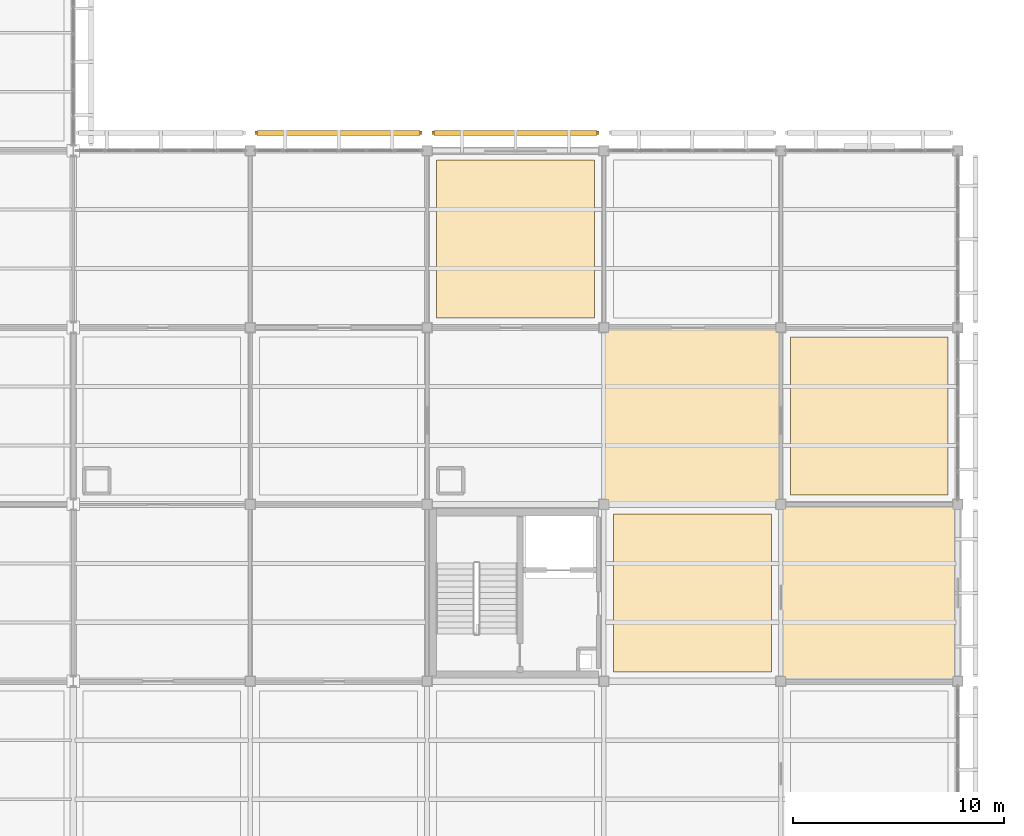
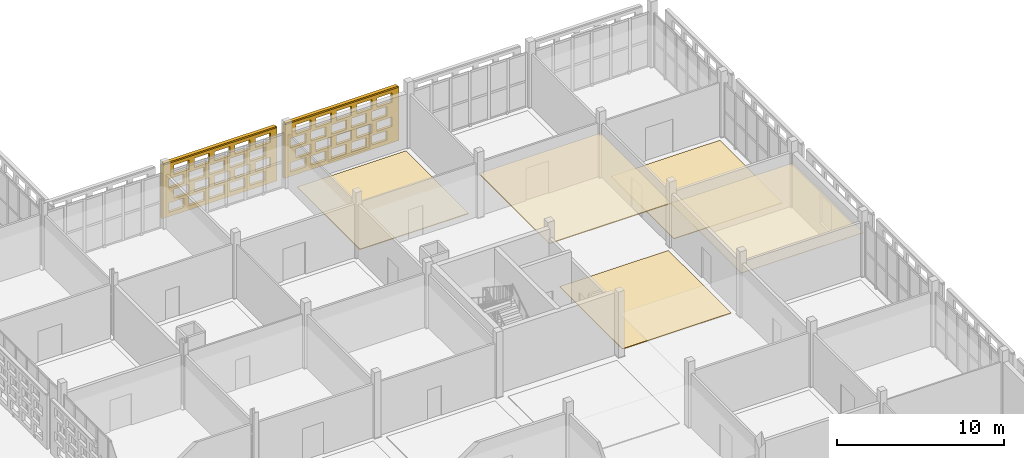
# One storey, part 201 of 203: 7 coverings, 2 shading devices, 40 openings.
"""IFC4 building model written with IfcOpenShell, lengths in metres."""

from ifc_helpers import new_model, si_unit, direction, frame, frame_2d, origin, origin_2d, place, context, subcontext, project, spatial, rectangle, extrude, material, layer, layer_set, type_object, element, save


model = new_model("IFC4")

# Units and contexts
model_context = context("Model", 3, precision=1e-05, world=origin(), true_north=direction((0.0, 1.0)))
body_context = subcontext(model_context, "Body", "Model", "MODEL_VIEW")
ifc_project = project(units=[si_unit("LENGTHUNIT", "METRE"), si_unit("AREAUNIT", "SQUARE_METRE"), si_unit("VOLUMEUNIT", "CUBIC_METRE"), si_unit("PLANEANGLEUNIT", "RADIAN"), si_unit("MASSUNIT", "GRAM", prefix="KILO")], contexts=[model_context])

# Site, building, storey
site_placement = place(None, origin())
site = spatial("IfcSite", under=ifc_project, at=site_placement, CompositionType="ELEMENT")
building_placement = place(site_placement, origin())
building = spatial("IfcBuilding", under=site, at=building_placement, Name="Varnapada Polytechnic", CompositionType="ELEMENT")
storey_placement = place(building_placement, frame((0.0, 0.0, 4.800048828125)))
storey = spatial("IfcBuildingStorey", under=building, at=storey_placement, Name="L01", CompositionType="ELEMENT", Elevation=4.800048828125)

# Coverings
ifc_material_1 = material(Name="End-Grain Timber Studio Block Flooring", Category="wood")
ifc_layer_1 = layer(ifc_material_1, 0.054931640625)
ifc_layer_set_1 = layer_set([ifc_layer_1], Name="End-Grain Timber Studio Block Flooring")
covering_type_1 = type_object("IfcCoveringType", Name="Floor Finish FLR-04", PredefinedType="FLOORING", material=ifc_layer_set_1)
covering_1_placement = place(storey_placement, frame((155.39990234375, 113.39990234375, 0.0), z_axis=(0.0, 0.0, 1.0), x_axis=(1.0, 0.0, 0.0)))
element("IfcCovering", 1, at=covering_1_placement, inside=storey, type_object=covering_type_1, Name="L01 floor finish panel (19,14)", PredefinedType="FLOORING", context=body_context, shape_type="SweptSolid", body=[
    extrude(rectangle(XDim=7.5, YDim=7.5, at=origin_2d()), origin(), (0.0, 0.0, 1.0), 0.054931640625),
])
ifc_material_2 = material(Name="Acoustic Rubber Seminar Flooring")
ifc_layer_2 = layer(ifc_material_2, 0.0400390625)
ifc_layer_set_2 = layer_set([ifc_layer_2], Name="Acoustic Rubber Seminar Flooring")
covering_type_2 = type_object("IfcCoveringType", Name="Floor Finish FLR-06", PredefinedType="FLOORING", material=ifc_layer_set_2)
for number, where, z_axis, x_axis, name in (
    (2, (163.800048828125, 96.60009765625, 0.0), (0.0, 0.0, 1.0), (1.0, 0.0, 0.0), "L01 floor finish panel (20,12)"),
    (3, (172.199951171875, 105.0, 0.0), (0.0, 0.0, 1.0), (1.0, 0.0, 0.0), "L01 floor finish panel (21,13)"),
):
    element("IfcCovering", number, at=place(storey_placement, frame(where, z_axis=z_axis, x_axis=x_axis)), inside=storey, type_object=covering_type_2, Name=name, PredefinedType="FLOORING", context=body_context, shape_type="SweptSolid", body=[
        extrude(rectangle(XDim=7.5, YDim=7.5, at=origin_2d()), origin(), (0.0, 0.0, 1.0), 0.0400390625),
    ])
ifc_material_3 = material(Name="Moisture-Resistant Aluminum Baffle Ceiling", Category="aluminium")
ifc_layer_3 = layer(ifc_material_3, 0.030029296875)
ifc_layer_set_3 = layer_set([ifc_layer_3], Name="Moisture-Resistant Aluminum Baffle Ceiling")
covering_type_3 = type_object("IfcCoveringType", Name="Suspended Ceiling CLG-03", PredefinedType="CEILING", material=ifc_layer_set_3)
covering_2_placement = place(storey_placement, frame((172.199951171875, 96.60009765625, 3.03515625), z_axis=(0.0, 0.0, 1.0), x_axis=(1.0, 0.0, 0.0)))
element("IfcCovering", 4, at=covering_2_placement, inside=storey, type_object=covering_type_3, Name="L01 suspended acoustic ceiling (21,12)", PredefinedType="CEILING", context=body_context, shape_type="SweptSolid", body=[
    extrude(rectangle(XDim=8.419921875, YDim=8.419921875, at=origin_2d()), origin(), (0.0, 0.0, 1.0), 0.030029296875),
])
ifc_material_4 = material(Name="Deep Acoustic Auditorium Cloud Baffle")
ifc_layer_4 = layer(ifc_material_4, 0.06494140625)
ifc_layer_set_4 = layer_set([ifc_layer_4], Name="Deep Acoustic Auditorium Cloud Baffle")
covering_type_4 = type_object("IfcCoveringType", Name="Suspended Ceiling CLG-07", PredefinedType="CEILING", material=ifc_layer_set_4)
covering_3_placement = place(storey_placement, frame((163.800048828125, 105.0, 3.017578125), z_axis=(0.0, 0.0, 1.0), x_axis=(1.0, 0.0, 0.0)))
element("IfcCovering", 5, at=covering_3_placement, inside=storey, type_object=covering_type_4, Name="L01 suspended acoustic ceiling (20,13)", PredefinedType="CEILING", context=body_context, shape_type="SweptSolid", body=[
    extrude(rectangle(XDim=8.419921875, YDim=8.419921875, at=origin_2d()), origin(), (0.0, 0.0, 1.0), 0.06494140625),
])

# Covering, openings
ifc_material_5 = material(Name="Earth-toned architectural terracotta screen block", Category="masonry")
ifc_layer_5 = layer(ifc_material_5, 0.1201171875)
ifc_layer_set_5 = layer_set([ifc_layer_5], Name="Earth-toned architectural terracotta screen block")
covering_type_5 = type_object("IfcCoveringType", Name="Terracotta Screen Cladding CLD-01", PredefinedType="CLADDING", material=ifc_layer_set_5)
covering_4_placement = place(storey_placement, frame((143.030029296875, 118.449951171875, 0.0), z_axis=(0.0, 0.0, 1.0), x_axis=(1.0, 0.0, 0.0)))
covering_4 = element("IfcCovering", 6, at=covering_4_placement, inside=storey, type_object=covering_type_5, Name="L01 perforated terracotta block screen (123)", PredefinedType="CLADDING", context=body_context, shape_type="SweptSolid", body=[
    extrude(rectangle(XDim=7.93994140625, YDim=0.179931640625, at=frame_2d((3.969970703125, 0.0))), origin(), (0.0, 0.0, 1.0), 3.919921875),
])
opening_1_placement = place(covering_4_placement, frame((0.469970703125, 0.0, 0.313720703125)))
element("IfcOpeningElement", 7, at=opening_1_placement, cuts=covering_4, Name="Screen perforation TBS-L01-122.1", PredefinedType="OPENING", context=body_context, shape_type="SweptSolid", body=[
    extrude(rectangle(XDim=1.0400390625, YDim=0.679931640625, at=frame_2d((0.52001953125, 0.33984375))), frame((0.0, 0.099853515625, 0.0), z_axis=(0.0, -1.0, 0.0), x_axis=(1.0, 0.0, 0.0)), (0.0, 0.0, 1.0), 0.199951171875),
])
opening_2_placement = place(covering_4_placement, frame((1.8701171875, 0.0, 0.313720703125)))
element("IfcOpeningElement", 8, at=opening_2_placement, cuts=covering_4, Name="Screen perforation TBS-L01-122.2", PredefinedType="OPENING", context=body_context, shape_type="SweptSolid", body=[
    extrude(rectangle(XDim=1.0400390625, YDim=0.679931640625, at=frame_2d((0.52001953125, 0.33984375))), frame((0.0, 0.099853515625, 0.0), z_axis=(0.0, -1.0, 0.0), x_axis=(1.0, 0.0, 0.0)), (0.0, 0.0, 1.0), 0.199951171875),
])
opening_3_placement = place(covering_4_placement, frame((3.27001953125, 0.0, 0.313720703125)))
element("IfcOpeningElement", 9, at=opening_3_placement, cuts=covering_4, Name="Screen perforation TBS-L01-122.3", PredefinedType="OPENING", context=body_context, shape_type="SweptSolid", body=[
    extrude(rectangle(XDim=1.0400390625, YDim=0.679931640625, at=frame_2d((0.52001953125, 0.33984375))), frame((0.0, 0.099853515625, 0.0), z_axis=(0.0, -1.0, 0.0), x_axis=(1.0, 0.0, 0.0)), (0.0, 0.0, 1.0), 0.199951171875),
])
opening_4_placement = place(covering_4_placement, frame((4.669921875, 0.0, 0.313720703125)))
element("IfcOpeningElement", 10, at=opening_4_placement, cuts=covering_4, Name="Screen perforation TBS-L01-122.4", PredefinedType="OPENING", context=body_context, shape_type="SweptSolid", body=[
    extrude(rectangle(XDim=1.0400390625, YDim=0.679931640625, at=frame_2d((0.52001953125, 0.33984375))), frame((0.0, 0.099853515625, 0.0), z_axis=(0.0, -1.0, 0.0), x_axis=(1.0, 0.0, 0.0)), (0.0, 0.0, 1.0), 0.199951171875),
])
opening_5_placement = place(covering_4_placement, frame((6.070068359375, 0.0, 0.313720703125)))
element("IfcOpeningElement", 11, at=opening_5_placement, cuts=covering_4, Name="Screen perforation TBS-L01-122.5", PredefinedType="OPENING", context=body_context, shape_type="SweptSolid", body=[
    extrude(rectangle(XDim=1.0400390625, YDim=0.679931640625, at=frame_2d((0.52001953125, 0.33984375))), frame((0.0, 0.099853515625, 0.0), z_axis=(0.0, -1.0, 0.0), x_axis=(1.0, 0.0, 0.0)), (0.0, 0.0, 1.0), 0.199951171875),
])
opening_6_placement = place(covering_4_placement, frame((0.830078125, 0.0, 1.195556640625)))
element("IfcOpeningElement", 12, at=opening_6_placement, cuts=covering_4, Name="Screen perforation TBS-L01-122.6", PredefinedType="OPENING", context=body_context, shape_type="SweptSolid", body=[
    extrude(rectangle(XDim=1.0400390625, YDim=0.679931640625, at=frame_2d((0.52001953125, 0.33984375))), frame((0.0, 0.099853515625, 0.0), z_axis=(0.0, -1.0, 0.0), x_axis=(1.0, 0.0, 0.0)), (0.0, 0.0, 1.0), 0.199951171875),
])
opening_7_placement = place(covering_4_placement, frame((2.22998046875, 0.0, 1.195556640625)))
element("IfcOpeningElement", 13, at=opening_7_placement, cuts=covering_4, Name="Screen perforation TBS-L01-122.7", PredefinedType="OPENING", context=body_context, shape_type="SweptSolid", body=[
    extrude(rectangle(XDim=1.0400390625, YDim=0.679931640625, at=frame_2d((0.52001953125, 0.33984375))), frame((0.0, 0.099853515625, 0.0), z_axis=(0.0, -1.0, 0.0), x_axis=(1.0, 0.0, 0.0)), (0.0, 0.0, 1.0), 0.199951171875),
])
opening_8_placement = place(covering_4_placement, frame((3.6298828125, 0.0, 1.195556640625)))
element("IfcOpeningElement", 14, at=opening_8_placement, cuts=covering_4, Name="Screen perforation TBS-L01-122.8", PredefinedType="OPENING", context=body_context, shape_type="SweptSolid", body=[
    extrude(rectangle(XDim=1.0400390625, YDim=0.679931640625, at=frame_2d((0.52001953125, 0.33984375))), frame((0.0, 0.099853515625, 0.0), z_axis=(0.0, -1.0, 0.0), x_axis=(1.0, 0.0, 0.0)), (0.0, 0.0, 1.0), 0.199951171875),
])
opening_9_placement = place(covering_4_placement, frame((5.030029296875, 0.0, 1.195556640625)))
element("IfcOpeningElement", 15, at=opening_9_placement, cuts=covering_4, Name="Screen perforation TBS-L01-122.9", PredefinedType="OPENING", context=body_context, shape_type="SweptSolid", body=[
    extrude(rectangle(XDim=1.0400390625, YDim=0.679931640625, at=frame_2d((0.52001953125, 0.33984375))), frame((0.0, 0.099853515625, 0.0), z_axis=(0.0, -1.0, 0.0), x_axis=(1.0, 0.0, 0.0)), (0.0, 0.0, 1.0), 0.199951171875),
])
opening_10_placement = place(covering_4_placement, frame((6.429931640625, 0.0, 1.195556640625)))
element("IfcOpeningElement", 16, at=opening_10_placement, cuts=covering_4, Name="Screen perforation TBS-L01-122.10", PredefinedType="OPENING", context=body_context, shape_type="SweptSolid", body=[
    extrude(rectangle(XDim=1.0400390625, YDim=0.679931640625, at=frame_2d((0.52001953125, 0.33984375))), frame((0.0, 0.099853515625, 0.0), z_axis=(0.0, -1.0, 0.0), x_axis=(1.0, 0.0, 0.0)), (0.0, 0.0, 1.0), 0.199951171875),
])
opening_11_placement = place(covering_4_placement, frame((0.469970703125, 0.0, 2.07763671875)))
element("IfcOpeningElement", 17, at=opening_11_placement, cuts=covering_4, Name="Screen perforation TBS-L01-122.11", PredefinedType="OPENING", context=body_context, shape_type="SweptSolid", body=[
    extrude(rectangle(XDim=1.0400390625, YDim=0.679931640625, at=frame_2d((0.52001953125, 0.33984375))), frame((0.0, 0.099853515625, 0.0), z_axis=(0.0, -1.0, 0.0), x_axis=(1.0, 0.0, 0.0)), (0.0, 0.0, 1.0), 0.199951171875),
])
opening_12_placement = place(covering_4_placement, frame((1.8701171875, 0.0, 2.07763671875)))
element("IfcOpeningElement", 18, at=opening_12_placement, cuts=covering_4, Name="Screen perforation TBS-L01-122.12", PredefinedType="OPENING", context=body_context, shape_type="SweptSolid", body=[
    extrude(rectangle(XDim=1.0400390625, YDim=0.679931640625, at=frame_2d((0.52001953125, 0.33984375))), frame((0.0, 0.099853515625, 0.0), z_axis=(0.0, -1.0, 0.0), x_axis=(1.0, 0.0, 0.0)), (0.0, 0.0, 1.0), 0.199951171875),
])
opening_13_placement = place(covering_4_placement, frame((3.27001953125, 0.0, 2.07763671875)))
element("IfcOpeningElement", 19, at=opening_13_placement, cuts=covering_4, Name="Screen perforation TBS-L01-122.13", PredefinedType="OPENING", context=body_context, shape_type="SweptSolid", body=[
    extrude(rectangle(XDim=1.0400390625, YDim=0.679931640625, at=frame_2d((0.52001953125, 0.33984375))), frame((0.0, 0.099853515625, 0.0), z_axis=(0.0, -1.0, 0.0), x_axis=(1.0, 0.0, 0.0)), (0.0, 0.0, 1.0), 0.199951171875),
])
opening_14_placement = place(covering_4_placement, frame((4.669921875, 0.0, 2.07763671875)))
element("IfcOpeningElement", 20, at=opening_14_placement, cuts=covering_4, Name="Screen perforation TBS-L01-122.14", PredefinedType="OPENING", context=body_context, shape_type="SweptSolid", body=[
    extrude(rectangle(XDim=1.0400390625, YDim=0.679931640625, at=frame_2d((0.52001953125, 0.33984375))), frame((0.0, 0.099853515625, 0.0), z_axis=(0.0, -1.0, 0.0), x_axis=(1.0, 0.0, 0.0)), (0.0, 0.0, 1.0), 0.199951171875),
])
opening_15_placement = place(covering_4_placement, frame((6.070068359375, 0.0, 2.07763671875)))
element("IfcOpeningElement", 21, at=opening_15_placement, cuts=covering_4, Name="Screen perforation TBS-L01-122.15", PredefinedType="OPENING", context=body_context, shape_type="SweptSolid", body=[
    extrude(rectangle(XDim=1.0400390625, YDim=0.679931640625, at=frame_2d((0.52001953125, 0.33984375))), frame((0.0, 0.099853515625, 0.0), z_axis=(0.0, -1.0, 0.0), x_axis=(1.0, 0.0, 0.0)), (0.0, 0.0, 1.0), 0.199951171875),
])
opening_16_placement = place(covering_4_placement, frame((0.830078125, 0.0, 2.959716796875)))
element("IfcOpeningElement", 22, at=opening_16_placement, cuts=covering_4, Name="Screen perforation TBS-L01-122.16", PredefinedType="OPENING", context=body_context, shape_type="SweptSolid", body=[
    extrude(rectangle(XDim=1.0400390625, YDim=0.679931640625, at=frame_2d((0.52001953125, 0.33984375))), frame((0.0, 0.099853515625, 0.0), z_axis=(0.0, -1.0, 0.0), x_axis=(1.0, 0.0, 0.0)), (0.0, 0.0, 1.0), 0.199951171875),
])
opening_17_placement = place(covering_4_placement, frame((2.22998046875, 0.0, 2.959716796875)))
element("IfcOpeningElement", 23, at=opening_17_placement, cuts=covering_4, Name="Screen perforation TBS-L01-122.17", PredefinedType="OPENING", context=body_context, shape_type="SweptSolid", body=[
    extrude(rectangle(XDim=1.0400390625, YDim=0.679931640625, at=frame_2d((0.52001953125, 0.33984375))), frame((0.0, 0.099853515625, 0.0), z_axis=(0.0, -1.0, 0.0), x_axis=(1.0, 0.0, 0.0)), (0.0, 0.0, 1.0), 0.199951171875),
])
opening_18_placement = place(covering_4_placement, frame((3.6298828125, 0.0, 2.959716796875)))
element("IfcOpeningElement", 24, at=opening_18_placement, cuts=covering_4, Name="Screen perforation TBS-L01-122.18", PredefinedType="OPENING", context=body_context, shape_type="SweptSolid", body=[
    extrude(rectangle(XDim=1.0400390625, YDim=0.679931640625, at=frame_2d((0.52001953125, 0.33984375))), frame((0.0, 0.099853515625, 0.0), z_axis=(0.0, -1.0, 0.0), x_axis=(1.0, 0.0, 0.0)), (0.0, 0.0, 1.0), 0.199951171875),
])
opening_19_placement = place(covering_4_placement, frame((5.030029296875, 0.0, 2.959716796875)))
element("IfcOpeningElement", 25, at=opening_19_placement, cuts=covering_4, Name="Screen perforation TBS-L01-122.19", PredefinedType="OPENING", context=body_context, shape_type="SweptSolid", body=[
    extrude(rectangle(XDim=1.0400390625, YDim=0.679931640625, at=frame_2d((0.52001953125, 0.33984375))), frame((0.0, 0.099853515625, 0.0), z_axis=(0.0, -1.0, 0.0), x_axis=(1.0, 0.0, 0.0)), (0.0, 0.0, 1.0), 0.199951171875),
])
opening_20_placement = place(covering_4_placement, frame((6.429931640625, 0.0, 2.959716796875)))
element("IfcOpeningElement", 26, at=opening_20_placement, cuts=covering_4, Name="Screen perforation TBS-L01-122.20", PredefinedType="OPENING", context=body_context, shape_type="SweptSolid", body=[
    extrude(rectangle(XDim=1.0400390625, YDim=0.679931640625, at=frame_2d((0.52001953125, 0.33984375))), frame((0.0, 0.099853515625, 0.0), z_axis=(0.0, -1.0, 0.0), x_axis=(1.0, 0.0, 0.0)), (0.0, 0.0, 1.0), 0.199951171875),
])

covering_5_placement = place(storey_placement, frame((151.429931640625, 118.449951171875, 0.0), z_axis=(0.0, 0.0, 1.0), x_axis=(1.0, 0.0, 0.0)))
covering_5 = element("IfcCovering", 27, at=covering_5_placement, inside=storey, type_object=covering_type_5, Name="L01 perforated terracotta block screen (129)", PredefinedType="CLADDING", context=body_context, shape_type="SweptSolid", body=[
    extrude(rectangle(XDim=7.940185546875, YDim=0.179931640625, at=frame_2d((3.97021484375, 0.0))), origin(), (0.0, 0.0, 1.0), 3.919921875),
])
opening_21_placement = place(covering_5_placement, frame((0.469970703125, 0.0, 0.313720703125)))
element("IfcOpeningElement", 28, at=opening_21_placement, cuts=covering_5, Name="Screen perforation TBS-L01-128.1", PredefinedType="OPENING", context=body_context, shape_type="SweptSolid", body=[
    extrude(rectangle(XDim=1.0400390625, YDim=0.679931640625, at=frame_2d((0.52001953125, 0.33984375))), frame((0.0, 0.099853515625, 0.0), z_axis=(0.0, -1.0, 0.0), x_axis=(1.0, 0.0, 0.0)), (0.0, 0.0, 1.0), 0.199951171875),
])
opening_22_placement = place(covering_5_placement, frame((1.8701171875, 0.0, 0.313720703125)))
element("IfcOpeningElement", 29, at=opening_22_placement, cuts=covering_5, Name="Screen perforation TBS-L01-128.2", PredefinedType="OPENING", context=body_context, shape_type="SweptSolid", body=[
    extrude(rectangle(XDim=1.0400390625, YDim=0.679931640625, at=frame_2d((0.52001953125, 0.33984375))), frame((0.0, 0.099853515625, 0.0), z_axis=(0.0, -1.0, 0.0), x_axis=(1.0, 0.0, 0.0)), (0.0, 0.0, 1.0), 0.199951171875),
])
opening_23_placement = place(covering_5_placement, frame((3.27001953125, 0.0, 0.313720703125)))
element("IfcOpeningElement", 30, at=opening_23_placement, cuts=covering_5, Name="Screen perforation TBS-L01-128.3", PredefinedType="OPENING", context=body_context, shape_type="SweptSolid", body=[
    extrude(rectangle(XDim=1.0400390625, YDim=0.679931640625, at=frame_2d((0.52001953125, 0.33984375))), frame((0.0, 0.099853515625, 0.0), z_axis=(0.0, -1.0, 0.0), x_axis=(1.0, 0.0, 0.0)), (0.0, 0.0, 1.0), 0.199951171875),
])
opening_24_placement = place(covering_5_placement, frame((4.669921875, 0.0, 0.313720703125)))
element("IfcOpeningElement", 31, at=opening_24_placement, cuts=covering_5, Name="Screen perforation TBS-L01-128.4", PredefinedType="OPENING", context=body_context, shape_type="SweptSolid", body=[
    extrude(rectangle(XDim=1.0400390625, YDim=0.679931640625, at=frame_2d((0.52001953125, 0.33984375))), frame((0.0, 0.099853515625, 0.0), z_axis=(0.0, -1.0, 0.0), x_axis=(1.0, 0.0, 0.0)), (0.0, 0.0, 1.0), 0.199951171875),
])
opening_25_placement = place(covering_5_placement, frame((6.070068359375, 0.0, 0.313720703125)))
element("IfcOpeningElement", 32, at=opening_25_placement, cuts=covering_5, Name="Screen perforation TBS-L01-128.5", PredefinedType="OPENING", context=body_context, shape_type="SweptSolid", body=[
    extrude(rectangle(XDim=1.0400390625, YDim=0.679931640625, at=frame_2d((0.52001953125, 0.33984375))), frame((0.0, 0.099853515625, 0.0), z_axis=(0.0, -1.0, 0.0), x_axis=(1.0, 0.0, 0.0)), (0.0, 0.0, 1.0), 0.199951171875),
])
opening_26_placement = place(covering_5_placement, frame((0.830078125, 0.0, 1.195556640625)))
element("IfcOpeningElement", 33, at=opening_26_placement, cuts=covering_5, Name="Screen perforation TBS-L01-128.6", PredefinedType="OPENING", context=body_context, shape_type="SweptSolid", body=[
    extrude(rectangle(XDim=1.0400390625, YDim=0.679931640625, at=frame_2d((0.52001953125, 0.33984375))), frame((0.0, 0.099853515625, 0.0), z_axis=(0.0, -1.0, 0.0), x_axis=(1.0, 0.0, 0.0)), (0.0, 0.0, 1.0), 0.199951171875),
])
opening_27_placement = place(covering_5_placement, frame((2.22998046875, 0.0, 1.195556640625)))
element("IfcOpeningElement", 34, at=opening_27_placement, cuts=covering_5, Name="Screen perforation TBS-L01-128.7", PredefinedType="OPENING", context=body_context, shape_type="SweptSolid", body=[
    extrude(rectangle(XDim=1.0400390625, YDim=0.679931640625, at=frame_2d((0.52001953125, 0.33984375))), frame((0.0, 0.099853515625, 0.0), z_axis=(0.0, -1.0, 0.0), x_axis=(1.0, 0.0, 0.0)), (0.0, 0.0, 1.0), 0.199951171875),
])
opening_28_placement = place(covering_5_placement, frame((3.6298828125, 0.0, 1.195556640625)))
element("IfcOpeningElement", 35, at=opening_28_placement, cuts=covering_5, Name="Screen perforation TBS-L01-128.8", PredefinedType="OPENING", context=body_context, shape_type="SweptSolid", body=[
    extrude(rectangle(XDim=1.0400390625, YDim=0.679931640625, at=frame_2d((0.52001953125, 0.33984375))), frame((0.0, 0.099853515625, 0.0), z_axis=(0.0, -1.0, 0.0), x_axis=(1.0, 0.0, 0.0)), (0.0, 0.0, 1.0), 0.199951171875),
])
opening_29_placement = place(covering_5_placement, frame((5.030029296875, 0.0, 1.195556640625)))
element("IfcOpeningElement", 36, at=opening_29_placement, cuts=covering_5, Name="Screen perforation TBS-L01-128.9", PredefinedType="OPENING", context=body_context, shape_type="SweptSolid", body=[
    extrude(rectangle(XDim=1.0400390625, YDim=0.679931640625, at=frame_2d((0.52001953125, 0.33984375))), frame((0.0, 0.099853515625, 0.0), z_axis=(0.0, -1.0, 0.0), x_axis=(1.0, 0.0, 0.0)), (0.0, 0.0, 1.0), 0.199951171875),
])
opening_30_placement = place(covering_5_placement, frame((6.429931640625, 0.0, 1.195556640625)))
element("IfcOpeningElement", 37, at=opening_30_placement, cuts=covering_5, Name="Screen perforation TBS-L01-128.10", PredefinedType="OPENING", context=body_context, shape_type="SweptSolid", body=[
    extrude(rectangle(XDim=1.0400390625, YDim=0.679931640625, at=frame_2d((0.52001953125, 0.33984375))), frame((0.0, 0.099853515625, 0.0), z_axis=(0.0, -1.0, 0.0), x_axis=(1.0, 0.0, 0.0)), (0.0, 0.0, 1.0), 0.199951171875),
])
opening_31_placement = place(covering_5_placement, frame((0.469970703125, 0.0, 2.07763671875)))
element("IfcOpeningElement", 38, at=opening_31_placement, cuts=covering_5, Name="Screen perforation TBS-L01-128.11", PredefinedType="OPENING", context=body_context, shape_type="SweptSolid", body=[
    extrude(rectangle(XDim=1.0400390625, YDim=0.679931640625, at=frame_2d((0.52001953125, 0.33984375))), frame((0.0, 0.099853515625, 0.0), z_axis=(0.0, -1.0, 0.0), x_axis=(1.0, 0.0, 0.0)), (0.0, 0.0, 1.0), 0.199951171875),
])
opening_32_placement = place(covering_5_placement, frame((1.8701171875, 0.0, 2.07763671875)))
element("IfcOpeningElement", 39, at=opening_32_placement, cuts=covering_5, Name="Screen perforation TBS-L01-128.12", PredefinedType="OPENING", context=body_context, shape_type="SweptSolid", body=[
    extrude(rectangle(XDim=1.0400390625, YDim=0.679931640625, at=frame_2d((0.52001953125, 0.33984375))), frame((0.0, 0.099853515625, 0.0), z_axis=(0.0, -1.0, 0.0), x_axis=(1.0, 0.0, 0.0)), (0.0, 0.0, 1.0), 0.199951171875),
])
opening_33_placement = place(covering_5_placement, frame((3.27001953125, 0.0, 2.07763671875)))
element("IfcOpeningElement", 40, at=opening_33_placement, cuts=covering_5, Name="Screen perforation TBS-L01-128.13", PredefinedType="OPENING", context=body_context, shape_type="SweptSolid", body=[
    extrude(rectangle(XDim=1.0400390625, YDim=0.679931640625, at=frame_2d((0.52001953125, 0.33984375))), frame((0.0, 0.099853515625, 0.0), z_axis=(0.0, -1.0, 0.0), x_axis=(1.0, 0.0, 0.0)), (0.0, 0.0, 1.0), 0.199951171875),
])
opening_34_placement = place(covering_5_placement, frame((4.669921875, 0.0, 2.07763671875)))
element("IfcOpeningElement", 41, at=opening_34_placement, cuts=covering_5, Name="Screen perforation TBS-L01-128.14", PredefinedType="OPENING", context=body_context, shape_type="SweptSolid", body=[
    extrude(rectangle(XDim=1.0400390625, YDim=0.679931640625, at=frame_2d((0.52001953125, 0.33984375))), frame((0.0, 0.099853515625, 0.0), z_axis=(0.0, -1.0, 0.0), x_axis=(1.0, 0.0, 0.0)), (0.0, 0.0, 1.0), 0.199951171875),
])
opening_35_placement = place(covering_5_placement, frame((6.070068359375, 0.0, 2.07763671875)))
element("IfcOpeningElement", 42, at=opening_35_placement, cuts=covering_5, Name="Screen perforation TBS-L01-128.15", PredefinedType="OPENING", context=body_context, shape_type="SweptSolid", body=[
    extrude(rectangle(XDim=1.0400390625, YDim=0.679931640625, at=frame_2d((0.52001953125, 0.33984375))), frame((0.0, 0.099853515625, 0.0), z_axis=(0.0, -1.0, 0.0), x_axis=(1.0, 0.0, 0.0)), (0.0, 0.0, 1.0), 0.199951171875),
])
opening_36_placement = place(covering_5_placement, frame((0.830078125, 0.0, 2.959716796875)))
element("IfcOpeningElement", 43, at=opening_36_placement, cuts=covering_5, Name="Screen perforation TBS-L01-128.16", PredefinedType="OPENING", context=body_context, shape_type="SweptSolid", body=[
    extrude(rectangle(XDim=1.0400390625, YDim=0.679931640625, at=frame_2d((0.52001953125, 0.33984375))), frame((0.0, 0.099853515625, 0.0), z_axis=(0.0, -1.0, 0.0), x_axis=(1.0, 0.0, 0.0)), (0.0, 0.0, 1.0), 0.199951171875),
])
opening_37_placement = place(covering_5_placement, frame((2.22998046875, 0.0, 2.959716796875)))
element("IfcOpeningElement", 44, at=opening_37_placement, cuts=covering_5, Name="Screen perforation TBS-L01-128.17", PredefinedType="OPENING", context=body_context, shape_type="SweptSolid", body=[
    extrude(rectangle(XDim=1.0400390625, YDim=0.679931640625, at=frame_2d((0.52001953125, 0.33984375))), frame((0.0, 0.099853515625, 0.0), z_axis=(0.0, -1.0, 0.0), x_axis=(1.0, 0.0, 0.0)), (0.0, 0.0, 1.0), 0.199951171875),
])
opening_38_placement = place(covering_5_placement, frame((3.6298828125, 0.0, 2.959716796875)))
element("IfcOpeningElement", 45, at=opening_38_placement, cuts=covering_5, Name="Screen perforation TBS-L01-128.18", PredefinedType="OPENING", context=body_context, shape_type="SweptSolid", body=[
    extrude(rectangle(XDim=1.0400390625, YDim=0.679931640625, at=frame_2d((0.52001953125, 0.33984375))), frame((0.0, 0.099853515625, 0.0), z_axis=(0.0, -1.0, 0.0), x_axis=(1.0, 0.0, 0.0)), (0.0, 0.0, 1.0), 0.199951171875),
])
opening_39_placement = place(covering_5_placement, frame((5.030029296875, 0.0, 2.959716796875)))
element("IfcOpeningElement", 46, at=opening_39_placement, cuts=covering_5, Name="Screen perforation TBS-L01-128.19", PredefinedType="OPENING", context=body_context, shape_type="SweptSolid", body=[
    extrude(rectangle(XDim=1.0400390625, YDim=0.679931640625, at=frame_2d((0.52001953125, 0.33984375))), frame((0.0, 0.099853515625, 0.0), z_axis=(0.0, -1.0, 0.0), x_axis=(1.0, 0.0, 0.0)), (0.0, 0.0, 1.0), 0.199951171875),
])
opening_40_placement = place(covering_5_placement, frame((6.429931640625, 0.0, 2.959716796875)))
element("IfcOpeningElement", 47, at=opening_40_placement, cuts=covering_5, Name="Screen perforation TBS-L01-128.20", PredefinedType="OPENING", context=body_context, shape_type="SweptSolid", body=[
    extrude(rectangle(XDim=1.0400390625, YDim=0.679931640625, at=frame_2d((0.52001953125, 0.33984375))), frame((0.0, 0.099853515625, 0.0), z_axis=(0.0, -1.0, 0.0), x_axis=(1.0, 0.0, 0.0)), (0.0, 0.0, 1.0), 0.199951171875),
])

# Shading devices
ifc_layer_6 = layer(ifc_material_5, 0.179931640625)
ifc_layer_set_6 = layer_set([ifc_layer_6], Name="Earth-toned architectural terracotta screen block")
shading_device_type = type_object("IfcShadingDeviceType", Name="Terracotta Screen SCR-02", PredefinedType="USERDEFINED", material=ifc_layer_set_6)
for number, where, z_axis, x_axis, name in (
    (48, (147.0, 118.449951171875, 3.909912109375), (0.0, 0.0, 1.0), (1.0, 0.0, 0.0), "L01 perforated terracotta screen hood 201"),
    (49, (155.39990234375, 118.449951171875, 3.909912109375), (0.0, 0.0, 1.0), (1.0, 0.0, 0.0), "L01 perforated terracotta screen hood 207"),
):
    element("IfcShadingDevice", number, at=place(storey_placement, frame(where, z_axis=z_axis, x_axis=x_axis)), inside=storey, type_object=shading_device_type, Name=name, ObjectType="SCREEN", PredefinedType="USERDEFINED", context=body_context, shape_type="SweptSolid", body=[
        extrude(rectangle(XDim=7.739990234375, YDim=0.239990234375, at=origin_2d()), origin(), (0.0, 0.0, 1.0), 0.10009765625),
    ])

save(model, "model.ifc")
